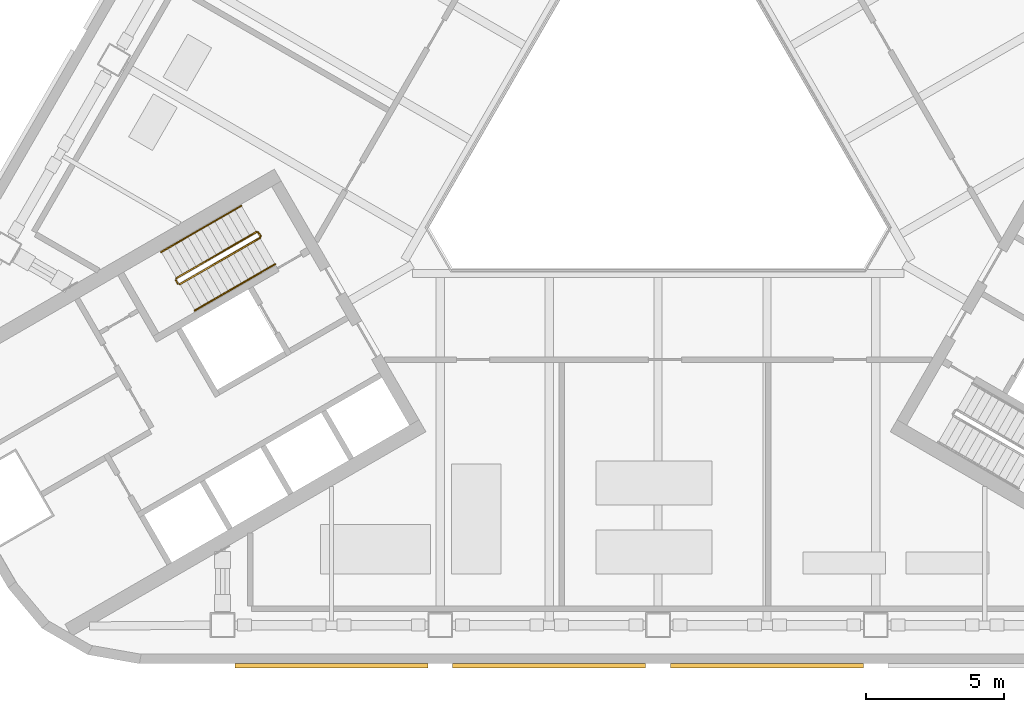
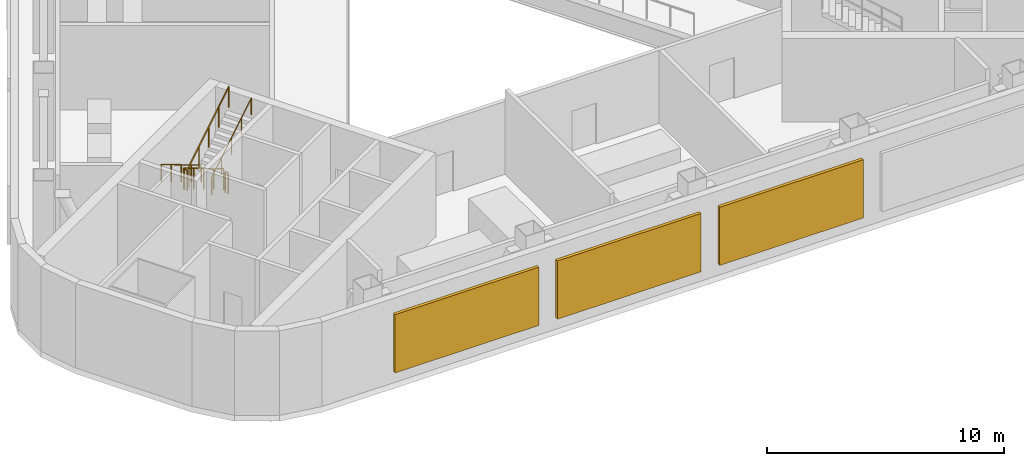
# One storey, part 10 of 14: 6 railings, 3 shading devices.
"""IFC4 building model written with IfcOpenShell, lengths in metres."""

from ifc_helpers import new_model, si_unit, direction, frame, origin, origin_2d, place, context, subcontext, project, spatial, rectangle, circle, extrude, material, type_object, element, save


model = new_model("IFC4")

# Units and contexts
model_context = context("Model", 3, precision=1e-05, world=origin(), true_north=direction((0.0, 1.0)))
body_context = subcontext(model_context, "Body", "Model", "MODEL_VIEW")
ifc_project = project(units=[si_unit("LENGTHUNIT", "METRE"), si_unit("AREAUNIT", "SQUARE_METRE"), si_unit("VOLUMEUNIT", "CUBIC_METRE"), si_unit("PLANEANGLEUNIT", "RADIAN"), si_unit("MASSUNIT", "GRAM", prefix="KILO")], contexts=[model_context])

# Site, building, storey
site_placement = place(None, origin())
site = spatial("IfcSite", under=ifc_project, at=site_placement, CompositionType="ELEMENT")
building_placement = place(site_placement, origin())
building = spatial("IfcBuilding", under=site, at=building_placement, Name="Apuvela Tower Hotel", CompositionType="ELEMENT")
storey_placement = place(building_placement, frame((0.0, 0.0, 142.10009765625)))
storey = spatial("IfcBuildingStorey", under=building, at=storey_placement, Name="L33 Plant", CompositionType="ELEMENT", Elevation=142.10009765625)

# Railings
ifc_material_1 = material(Name="Steel S275 balustrade", Category="steel")
railing_type_1 = type_object("IfcRailingType", Name="COR-GUARD-1100", PredefinedType="GUARDRAIL", material=ifc_material_1)
railing_1_placement = place(storey_placement, frame((-14.569091796875, -3.9658203125, 0.173095703125)))
element("IfcRailing", 1, at=railing_1_placement, inside=storey, type_object=railing_type_1, Name="L33 Plant ST2 stair guard 1", PredefinedType="GUARDRAIL", context=body_context, shape_type="SweptSolid", body=[
    extrude(rectangle(XDim=0.048095703125, YDim=0.048095703125, at=origin_2d()), frame((0.0, 0.0, 1.076171875), z_axis=(-0.736639687092, -0.425307743487, 0.525809180911), x_axis=(0.500007602105, -0.866021014662, 0.0)), (0.0, 0.0, 1.0), 3.949951171875),
    extrude(rectangle(XDim=0.0419921875, YDim=0.0419921875, at=origin_2d()), origin(), (0.0, 0.0, 1.0), 1.052001953125),
    extrude(rectangle(XDim=0.0419921875, YDim=0.0419921875, at=origin_2d()), frame((-0.7275390625, -0.419921875, 0.519287109375)), (0.0, 0.0, 1.0), 1.052001953125),
    extrude(rectangle(XDim=0.0419921875, YDim=0.0419921875, at=origin_2d()), frame((-1.454833984375, -0.83984375, 1.03857421875)), (0.0, 0.0, 1.0), 1.052001953125),
    extrude(rectangle(XDim=0.0419921875, YDim=0.0419921875, at=origin_2d()), frame((-2.18212890625, -1.260009765625, 1.5576171875)), (0.0, 0.0, 1.0), 1.052001953125),
    extrude(rectangle(XDim=0.0419921875, YDim=0.0419921875, at=origin_2d()), frame((-2.90966796875, -1.679931640625, 2.076904296875)), (0.0, 0.0, 1.0), 1.052001953125),
])
railing_2_placement = place(storey_placement, frame((-17.4970703125, -5.714111328125, 2.25)))
element("IfcRailing", 2, at=railing_2_placement, inside=storey, type_object=railing_type_1, Name="L33 Plant ST2 stair guard 2", PredefinedType="GUARDRAIL", context=body_context, shape_type="SweptSolid", body=[
    extrude(rectangle(XDim=0.048095703125, YDim=0.048095703125, at=origin_2d()), frame((0.0, 0.0, 1.076171875), z_axis=(0.499816412211, -0.866131372301, 0.0), x_axis=(0.866131372301, 0.499816412211, 0.0)), (0.0, 0.0, 1.0), 0.14990234375),
    extrude(rectangle(XDim=0.0419921875, YDim=0.0419921875, at=origin_2d()), origin(), (0.0, 0.0, 1.0), 1.052001953125),
    extrude(rectangle(XDim=0.0419921875, YDim=0.0419921875, at=origin_2d()), frame((0.074951171875, -0.1298828125, 0.0)), (0.0, 0.0, 1.0), 1.052001953125),
])
railing_3_placement = place(storey_placement, frame((-17.353759765625, -5.8623046875, 2.423095703125)))
element("IfcRailing", 3, at=railing_3_placement, inside=storey, type_object=railing_type_1, Name="L33 Plant ST2 stair guard 3", PredefinedType="GUARDRAIL", context=body_context, shape_type="SweptSolid", body=[
    extrude(rectangle(XDim=0.048095703125, YDim=0.048095703125, at=origin_2d()), frame((0.0, 0.0, 1.076171875), z_axis=(0.736639687092, 0.425307743487, 0.525809180911), x_axis=(-0.500007602105, 0.866021014662, 0.0)), (0.0, 0.0, 1.0), 3.949951171875),
    extrude(rectangle(XDim=0.0419921875, YDim=0.0419921875, at=origin_2d()), origin(), (0.0, 0.0, 1.0), 1.052001953125),
    extrude(rectangle(XDim=0.0419921875, YDim=0.0419921875, at=origin_2d()), frame((0.7275390625, 0.419921875, 0.519287109375)), (0.0, 0.0, 1.0), 1.052001953125),
    extrude(rectangle(XDim=0.0419921875, YDim=0.0419921875, at=origin_2d()), frame((1.454833984375, 0.83984375, 1.03857421875)), (0.0, 0.0, 1.0), 1.052001953125),
    extrude(rectangle(XDim=0.0419921875, YDim=0.0419921875, at=origin_2d()), frame((2.18212890625, 1.260009765625, 1.5576171875)), (0.0, 0.0, 1.0), 1.052001953125),
    extrude(rectangle(XDim=0.0419921875, YDim=0.0419921875, at=origin_2d()), frame((2.90966796875, 1.679931640625, 2.076904296875)), (0.0, 0.0, 1.0), 1.052001953125),
])
railing_4_placement = place(storey_placement, frame((-14.500732421875, -3.984130859375, 0.0)))
element("IfcRailing", 4, at=railing_4_placement, inside=storey, type_object=railing_type_1, Name="L33 Plant ST2 stair guard 4", PredefinedType="GUARDRAIL", context=body_context, shape_type="SweptSolid", body=[
    extrude(rectangle(XDim=0.048095703125, YDim=0.048095703125, at=origin_2d()), frame((0.0, 0.0, 1.076171875), z_axis=(0.499816412211, -0.866131372301, 0.0), x_axis=(0.866131372301, 0.499816412211, 0.0)), (0.0, 0.0, 1.0), 0.14990234375),
    extrude(rectangle(XDim=0.0419921875, YDim=0.0419921875, at=origin_2d()), origin(), (0.0, 0.0, 1.0), 1.052001953125),
    extrude(rectangle(XDim=0.0419921875, YDim=0.0419921875, at=origin_2d()), frame((0.074951171875, -0.1298828125, 0.0)), (0.0, 0.0, 1.0), 1.052001953125),
])
ifc_material_2 = material(Name="Stainless steel 316 handrail", Category="steel")
railing_type_2 = type_object("IfcRailingType", Name="COR-HANDRAIL-900", PredefinedType="HANDRAIL", material=ifc_material_2)
railing_5_placement = place(storey_placement, frame((-15.118896484375, -3.01318359375, 0.173095703125)))
element("IfcRailing", 5, at=railing_5_placement, inside=storey, type_object=railing_type_2, Name="L33 Plant ST2 stair handrail 1", PredefinedType="HANDRAIL", context=body_context, shape_type="SweptSolid", body=[
    extrude(circle(Radius=0.02392578125, at=origin_2d()), frame((0.0, 0.0, 0.8759765625), z_axis=(-0.736667954249, -0.425288379326, 0.525785240943), x_axis=(0.499976138585, -0.866039179741, 0.0)), (0.0, 0.0, 1.0), 3.9501953125),
    extrude(rectangle(XDim=0.0419921875, YDim=0.0419921875, at=origin_2d()), origin(), (0.0, 0.0, 1.0), 0.851806640625),
    extrude(rectangle(XDim=0.0419921875, YDim=0.0419921875, at=origin_2d()), frame((-0.7275390625, -0.419921875, 0.519287109375)), (0.0, 0.0, 1.0), 0.851806640625),
    extrude(rectangle(XDim=0.0419921875, YDim=0.0419921875, at=origin_2d()), frame((-1.455078125, -0.83984375, 1.03857421875)), (0.0, 0.0, 1.0), 0.851806640625),
    extrude(rectangle(XDim=0.0419921875, YDim=0.0419921875, at=origin_2d()), frame((-2.182373046875, -1.260009765625, 1.5576171875)), (0.0, 0.0, 1.0), 0.851806640625),
    extrude(rectangle(XDim=0.0419921875, YDim=0.0419921875, at=origin_2d()), frame((-2.909912109375, -1.679931640625, 2.076904296875)), (0.0, 0.0, 1.0), 0.851806640625),
])
railing_6_placement = place(storey_placement, frame((-16.8037109375, -6.81494140625, 2.423095703125)))
element("IfcRailing", 6, at=railing_6_placement, inside=storey, type_object=railing_type_2, Name="L33 Plant ST2 stair handrail 2", PredefinedType="HANDRAIL", context=body_context, shape_type="SweptSolid", body=[
    extrude(circle(Radius=0.02392578125, at=origin_2d()), frame((0.0, 0.0, 0.8759765625), z_axis=(0.736639687092, 0.425307743487, 0.525809180911), x_axis=(-0.500007602105, 0.866021014662, 0.0)), (0.0, 0.0, 1.0), 3.949951171875),
    extrude(rectangle(XDim=0.0419921875, YDim=0.0419921875, at=origin_2d()), origin(), (0.0, 0.0, 1.0), 0.851806640625),
    extrude(rectangle(XDim=0.0419921875, YDim=0.0419921875, at=origin_2d()), frame((0.7275390625, 0.419921875, 0.519287109375)), (0.0, 0.0, 1.0), 0.851806640625),
    extrude(rectangle(XDim=0.0419921875, YDim=0.0419921875, at=origin_2d()), frame((1.454833984375, 0.83984375, 1.03857421875)), (0.0, 0.0, 1.0), 0.851806640625),
    extrude(rectangle(XDim=0.0419921875, YDim=0.0419921875, at=origin_2d()), frame((2.18212890625, 1.260009765625, 1.5576171875)), (0.0, 0.0, 1.0), 0.851806640625),
    extrude(rectangle(XDim=0.0419921875, YDim=0.0419921875, at=origin_2d()), frame((2.90966796875, 1.679931640625, 2.076904296875)), (0.0, 0.0, 1.0), 0.851806640625),
])

# Shading devices
ifc_material_3 = material(Name="Aluminium 6063-T6, black anodised louvre blades", Category="aluminium")
shading_device_type = type_object("IfcShadingDeviceType", Name="ENV-LOUVRE-SCREEN", PredefinedType="USERDEFINED", material=ifc_material_3)
for number, where, z_axis, x_axis, name in (
    (7, (-11.85009765625, -19.705078125, 0.599853515625), (0.0, 0.0, 1.0), (1.0, 0.0, 0.0), "Plant louvre S1"),
    (8, (-3.949951171875, -19.705078125, 0.599853515625), (0.0, 0.0, 1.0), (1.0, 0.0, 0.0), "Plant louvre S2"),
    (9, (3.949951171875, -19.705078125, 0.599853515625), (0.0, 0.0, 1.0), (1.0, 0.0, 0.0), "Plant louvre S3"),
):
    element("IfcShadingDevice", number, at=place(storey_placement, frame(where, z_axis=z_axis, x_axis=x_axis)), inside=storey, type_object=shading_device_type, Name=name, ObjectType="LOUVRE", PredefinedType="USERDEFINED", context=body_context, shape_type="SweptSolid", body=[
        extrude(rectangle(XDim=7.0, YDim=0.14990234375, at=origin_2d()), origin(), (0.0, 0.0, 1.0), 3.0),
    ])

save(model, "model.ifc")
